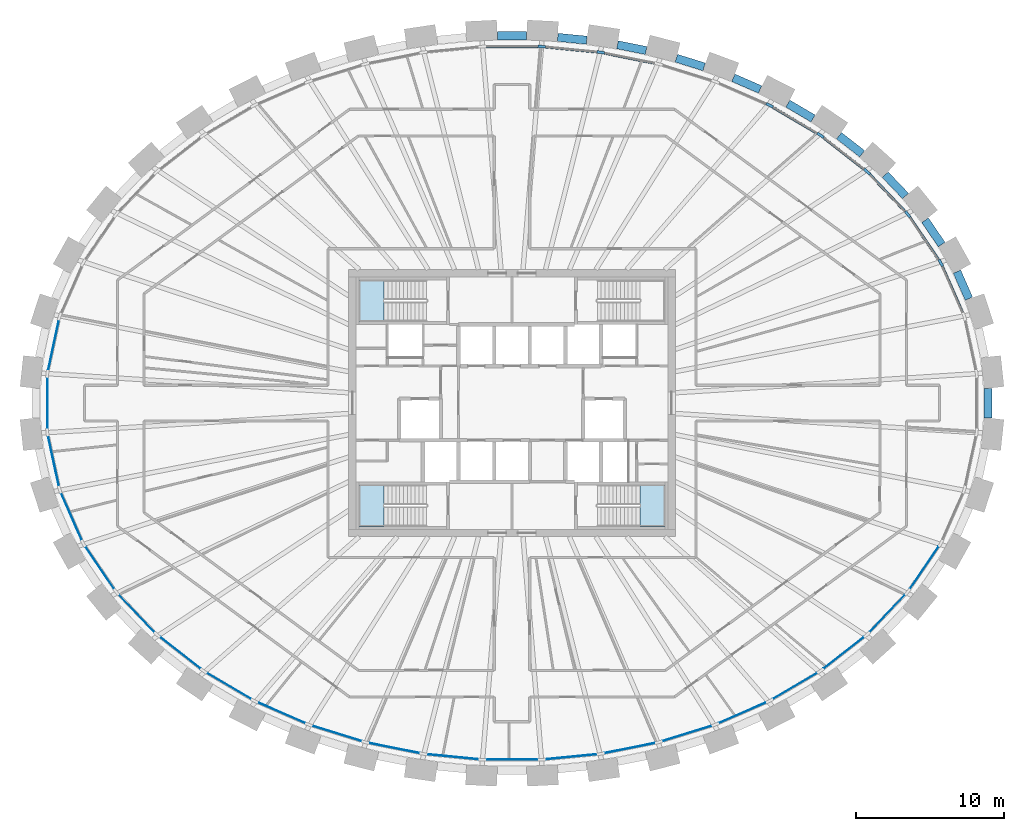
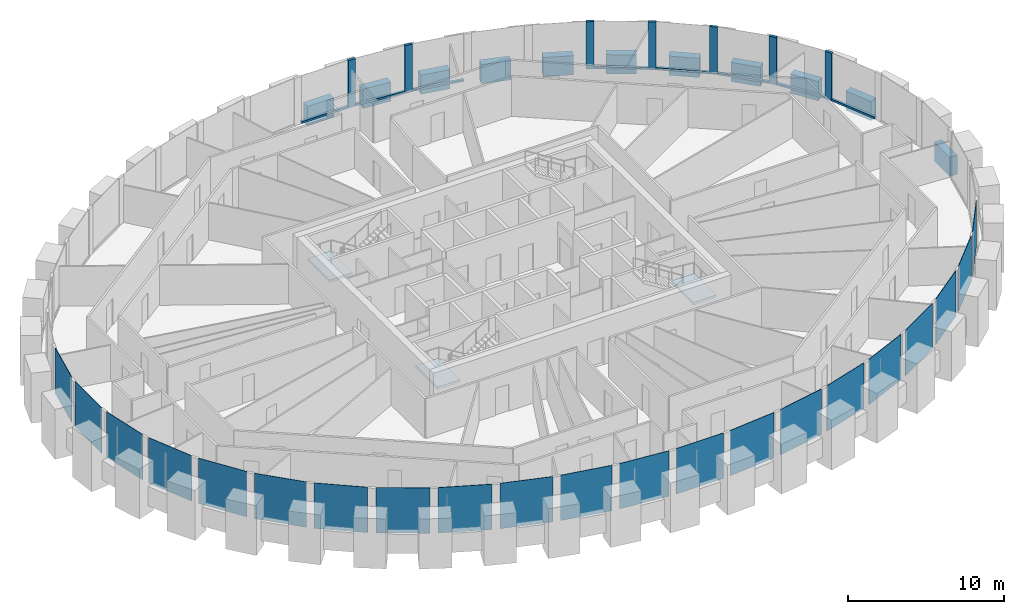
# One storey, part 4 of 12: 21 plates, 15 members, 11 beams, 3 slabs, 4 elements without a shape of their own.
"""IFC4 building model written with IfcOpenShell, lengths in metres."""

from ifc_helpers import new_model, si_unit, direction, frame, origin, origin_2d, place, context, subcontext, project, spatial, polyline, rectangle, outline, extrude, source, transform, mapped, material, layer, layer_set, material_profile, profile_set, type_object, element, aggregate, save


model = new_model("IFC4")

# Units and contexts
model_context = context("Model", 3, precision=1e-05, world=origin(), true_north=direction((0.0, 1.0)))
body_context = subcontext(model_context, "Body", "Model", "MODEL_VIEW")
ifc_project = project(units=[si_unit("LENGTHUNIT", "METRE"), si_unit("AREAUNIT", "SQUARE_METRE"), si_unit("VOLUMEUNIT", "CUBIC_METRE"), si_unit("PLANEANGLEUNIT", "RADIAN"), si_unit("MASSUNIT", "GRAM", prefix="KILO")], contexts=[model_context])

# Site, building, storey
site_placement = place(None, origin())
site = spatial("IfcSite", under=ifc_project, at=site_placement, CompositionType="ELEMENT")
building_placement = place(site_placement, origin())
building = spatial("IfcBuilding", under=site, at=building_placement, Name="Embergate Tower", CompositionType="ELEMENT")
storey_placement = place(building_placement, frame((0.0, 0.0, 269.5)))
storey = spatial("IfcBuildingStorey", under=building, at=storey_placement, Name="L62", CompositionType="ELEMENT", Elevation=269.5)

# Beams
ifc_material_1 = material(Name="Concrete C60", Category="concrete")
ifc_material_profile_1 = material_profile(ifc_material_1, rectangle(XDim=0.550048828125, YDim=1.5, at=origin_2d()), Name="RC 550x1500")
ifc_profile_set_1 = profile_set([ifc_material_profile_1], Name="Concrete C60")
beam_type = type_object("IfcBeamType", Name="Spandrel beam RC 550x1500 C60", PredefinedType="BEAM", material=ifc_profile_set_1)
shared_shape_1 = source(origin(), body_context, "Body", "SweptSolid", [
    extrude(rectangle(XDim=0.550048828125, YDim=1.5, at=origin_2d()), origin(), (0.0, 0.0, 1.0), 1.989990234375),
])
beam_1_placement = place(storey_placement, frame((30.777099609375, 7.032958984375, 0.0), z_axis=(-0.402047764255, 0.915618695341, 0.0), x_axis=(-0.915618695341, -0.402047764255, 0.0)))
element("IfcBeam", 1, at=beam_1_placement, inside=storey, type_object=beam_type, Name="SPN-L62-01", PredefinedType="BEAM", context=body_context, shape_type="MappedRepresentation", body=[
    mapped(shared_shape_1, transform((0.0, 0.0, 0.0))),
])
shared_shape_2 = source(origin(), body_context, "Body", "SweptSolid", [
    extrude(rectangle(XDim=0.550048828125, YDim=1.5, at=origin_2d()), origin(), (0.0, 0.0, 1.0), 1.982421875),
])
beam_2_placement = place(storey_placement, frame((28.943115234375, 10.68310546875, 0.0), z_axis=(-0.56257611142, 0.82674549824, 0.0), x_axis=(-0.82674549824, -0.56257611142, 0.0)))
element("IfcBeam", 2, at=beam_2_placement, inside=storey, type_object=beam_type, Name="SPN-L62-02", PredefinedType="BEAM", context=body_context, shape_type="MappedRepresentation", body=[
    mapped(shared_shape_2, transform((0.0, 0.0, 0.0))),
])
shared_shape_3 = source(origin(), body_context, "Body", "SweptSolid", [
    extrude(rectangle(XDim=0.550048828125, YDim=1.5, at=origin_2d()), origin(), (0.0, 0.0, 1.0), 1.97900390625),
])
beam_3_placement = place(storey_placement, frame((26.509033203125, 13.9560546875, 0.0), z_axis=(-0.690255649164, 0.723565573253, 0.0), x_axis=(-0.723565573253, -0.690255649164, 0.0)))
element("IfcBeam", 3, at=beam_3_placement, inside=storey, type_object=beam_type, Name="SPN-L62-03", PredefinedType="BEAM", context=body_context, shape_type="MappedRepresentation", body=[
    mapped(shared_shape_3, transform((0.0, 0.0, 0.0))),
])
shared_shape_4 = source(origin(), body_context, "Body", "SweptSolid", [
    extrude(rectangle(XDim=0.550048828125, YDim=1.5, at=origin_2d()), origin(), (0.0, 0.0, 1.0), 1.974853515625),
])
beam_4_placement = place(storey_placement, frame((23.5869140625, 16.797119140625, 0.0), z_axis=(-0.788385979859, 0.61518090572, 0.0), x_axis=(-0.61518090572, -0.788385979859, 0.0)))
element("IfcBeam", 4, at=beam_4_placement, inside=storey, type_object=beam_type, Name="SPN-L62-04", PredefinedType="BEAM", context=body_context, shape_type="MappedRepresentation", body=[
    mapped(shared_shape_4, transform((0.0, 0.0, 0.0))),
])
shared_shape_5 = source(origin(), body_context, "Body", "SweptSolid", [
    extrude(rectangle(XDim=0.550048828125, YDim=1.5, at=origin_2d()), origin(), (0.0, 0.0, 1.0), 1.969482421875),
])
beam_5_placement = place(storey_placement, frame((20.281982421875, 19.176025390625, 0.0), z_axis=(-0.862106236571, 0.506727576578, 0.0), x_axis=(-0.506727576578, -0.862106236571, 0.0)))
element("IfcBeam", 5, at=beam_5_placement, inside=storey, type_object=beam_type, Name="SPN-L62-05", PredefinedType="BEAM", context=body_context, shape_type="MappedRepresentation", body=[
    mapped(shared_shape_5, transform((0.0, 0.0, 0.0))),
])
shared_shape_6 = source(origin(), body_context, "Body", "SweptSolid", [
    extrude(rectangle(XDim=0.550048828125, YDim=1.5, at=origin_2d()), origin(), (0.0, 0.0, 1.0), 1.96630859375),
])
beam_6_placement = place(storey_placement, frame((16.714111328125, 21.12890625, 0.0), z_axis=(-0.916393681964, 0.400278177842, 0.0), x_axis=(-0.400278177842, -0.916393681964, 0.0)))
element("IfcBeam", 6, at=beam_6_placement, inside=storey, type_object=beam_type, Name="SPN-L62-06", PredefinedType="BEAM", context=body_context, shape_type="MappedRepresentation", body=[
    mapped(shared_shape_6, transform((0.0, 0.0, 0.0))),
])
shared_shape_7 = source(origin(), body_context, "Body", "SweptSolid", [
    extrude(rectangle(XDim=0.550048828125, YDim=1.5, at=origin_2d()), origin(), (0.0, 0.0, 1.0), 1.96484375),
])
beam_7_placement = place(storey_placement, frame((12.945068359375, 22.65087890625, 0.0), z_axis=(-0.954771364399, 0.297340951979, 0.0), x_axis=(-0.297340951979, -0.954771364399, 0.0)))
element("IfcBeam", 7, at=beam_7_placement, inside=storey, type_object=beam_type, Name="SPN-L62-07", PredefinedType="BEAM", context=body_context, shape_type="MappedRepresentation", body=[
    mapped(shared_shape_7, transform((0.0, 0.0, 0.0))),
])
shared_shape_8 = source(origin(), body_context, "Body", "SweptSolid", [
    extrude(rectangle(XDim=0.550048828125, YDim=1.5, at=origin_2d()), origin(), (0.0, 0.0, 1.0), 1.963134765625),
])
beam_8_placement = place(storey_placement, frame((9.033935546875, 23.7548828125, 0.0), z_axis=(-0.980580675691, 0.196116135138, 0.0), x_axis=(-0.196116135138, -0.980580675691, 0.0)))
element("IfcBeam", 8, at=beam_8_placement, inside=storey, type_object=beam_type, Name="SPN-L62-08", PredefinedType="BEAM", context=body_context, shape_type="MappedRepresentation", body=[
    mapped(shared_shape_8, transform((0.0, 0.0, 0.0))),
])
shared_shape_9 = source(origin(), body_context, "Body", "SweptSolid", [
    extrude(rectangle(XDim=0.550048828125, YDim=1.5, at=origin_2d()), origin(), (0.0, 0.0, 1.0), 1.96240234375),
])
beam_9_placement = place(storey_placement, frame((5.031982421875, 24.449951171875, 0.0), z_axis=(-0.99519482752, 0.097914530474, 0.0), x_axis=(-0.097914530474, -0.99519482752, 0.0)))
element("IfcBeam", 9, at=beam_9_placement, inside=storey, type_object=beam_type, Name="SPN-L62-09", PredefinedType="BEAM", context=body_context, shape_type="MappedRepresentation", body=[
    mapped(shared_shape_9, transform((0.0, 0.0, 0.0))),
])
shared_shape_10 = source(origin(), body_context, "Body", "SweptSolid", [
    extrude(rectangle(XDim=0.550048828125, YDim=1.5, at=origin_2d()), origin(), (0.0, 0.0, 1.0), 1.9619140625),
])
beam_10_placement = place(storey_placement, frame((0.98095703125, 24.7451171875, 0.0), z_axis=(-1.0, 0.0, 0.0), x_axis=(0.0, -1.0, 0.0)))
element("IfcBeam", 10, at=beam_10_placement, inside=storey, type_object=beam_type, Name="SPN-L62-10", PredefinedType="BEAM", context=body_context, shape_type="MappedRepresentation", body=[
    mapped(shared_shape_10, transform((0.0, 0.0, 0.0))),
])
shared_shape_11 = source(origin(), body_context, "Body", "SweptSolid", [
    extrude(rectangle(XDim=0.550048828125, YDim=1.5, at=origin_2d()), origin(), (0.0, 0.0, 1.0), 1.994140625),
])
beam_11_placement = place(storey_placement, frame((32.06396484375, -0.9970703125, 0.0), z_axis=(0.0, 1.0, 0.0), x_axis=(-1.0, 0.0, 0.0)))
element("IfcBeam", 11, at=beam_11_placement, inside=storey, type_object=beam_type, Name="SPN-L62-43", PredefinedType="BEAM", context=body_context, shape_type="MappedRepresentation", body=[
    mapped(shared_shape_11, transform((0.0, 0.0, 0.0))),
])

# Curtain wall, members, plates
ifc_material_2 = material(Name="Aluminium and glass", Category="aluminium")
curtain_wall_type = type_object("IfcCurtainWallType", Name="Recessed office glazing", PredefinedType="NOTDEFINED", material=ifc_material_2)
curtain_wall_placement = place(storey_placement, origin())
curtain_wall = element("IfcCurtainWall", 12, at=curtain_wall_placement, inside=storey, type_object=curtain_wall_type, Name="Recessed office glazing ring", ObjectType="RECESSED OFFICE GLAZING", PredefinedType="USERDEFINED")
ifc_material_3 = material(Name="Aluminium, thermally broken", Category="aluminium")
ifc_material_profile_2 = material_profile(ifc_material_3, rectangle(XDim=0.179931640625, YDim=0.52001953125, at=origin_2d()), Name="AL 520x180")
ifc_profile_set_2 = profile_set([ifc_material_profile_2], Name="Aluminium, thermally broken")
member_type_1 = type_object("IfcMemberType", Name="Office mullion", PredefinedType="MULLION", material=ifc_profile_set_2)
shared_shape_12 = source(origin(), body_context, "Body", "SweptSolid", [
    extrude(rectangle(XDim=0.179931640625, YDim=0.52001953125, at=origin_2d()), origin(), (0.0, 0.0, 1.0), 3.699951171875),
])
member_1_placement = place(storey_placement, frame((28.8837890625, 9.447998046875, 0.0), z_axis=(0.0, 0.0, 1.0), x_axis=(-0.874992601244, -0.484136290489, 0.0)))
member_1 = element("IfcMember", 13, at=member_1_placement, type_object=member_type_1, Name="CW mullion 3", PredefinedType="MULLION", context=body_context, shape_type="MappedRepresentation", body=[
    mapped(shared_shape_12, transform((0.0, 0.0, 0.0))),
])
member_2_placement = place(storey_placement, frame((26.656494140625, 12.72314453125, 0.0), z_axis=(0.0, 0.0, 1.0), x_axis=(-0.777861596203, -0.628435626897, 0.0)))
member_2 = element("IfcMember", 14, at=member_2_placement, type_object=member_type_1, Name="CW mullion 4", PredefinedType="MULLION", context=body_context, shape_type="MappedRepresentation", body=[
    mapped(shared_shape_12, transform((0.0, 0.0, 0.0))),
])
member_3_placement = place(storey_placement, frame((23.9169921875, 15.595703125, 0.0), z_axis=(0.0, 0.0, 1.0), x_axis=(-0.671216184057, -0.741261650337, 0.0)))
member_3 = element("IfcMember", 15, at=member_3_placement, type_object=member_type_1, Name="CW mullion 5", PredefinedType="MULLION", context=body_context, shape_type="MappedRepresentation", body=[
    mapped(shared_shape_12, transform((0.0, 0.0, 0.0))),
])
member_4_placement = place(storey_placement, frame((20.781982421875, 18.042236328125, 0.0), z_axis=(0.0, 0.0, 1.0), x_axis=(-0.562207514921, -0.82699619719, 0.0)))
member_4 = element("IfcMember", 16, at=member_4_placement, type_object=member_type_1, Name="CW mullion 6", PredefinedType="MULLION", context=body_context, shape_type="MappedRepresentation", body=[
    mapped(shared_shape_12, transform((0.0, 0.0, 0.0))),
])
member_5_placement = place(storey_placement, frame((17.34912109375, 20.060791015625, 0.0), z_axis=(0.0, 0.0, 1.0), x_axis=(-0.454503607328, -0.89074489666, 0.0)))
member_5 = element("IfcMember", 17, at=member_5_placement, type_object=member_type_1, Name="CW mullion 7", PredefinedType="MULLION", context=body_context, shape_type="MappedRepresentation", body=[
    mapped(shared_shape_12, transform((0.0, 0.0, 0.0))),
])
member_6_placement = place(storey_placement, frame((5.9716796875, 23.629638671875, 0.0), z_axis=(0.0, 0.0, 1.0), x_axis=(-0.147408930294, -0.989075632735, 0.0)))
member_6 = element("IfcMember", 18, at=member_6_placement, type_object=member_type_1, Name="CW mullion 10", PredefinedType="MULLION", context=body_context, shape_type="MappedRepresentation", body=[
    mapped(shared_shape_12, transform((0.0, 0.0, 0.0))),
])
member_7_placement = place(storey_placement, frame((1.9970703125, 24.020263671875, 0.0), z_axis=(0.0, 0.0, 1.0), x_axis=(-0.048970053385, -0.998800247232, 0.0)))
member_7 = element("IfcMember", 19, at=member_7_placement, type_object=member_type_1, Name="CW mullion 11", PredefinedType="MULLION", context=body_context, shape_type="MappedRepresentation", body=[
    mapped(shared_shape_12, transform((0.0, 0.0, 0.0))),
])
ifc_material_profile_3 = material_profile(ifc_material_3, rectangle(XDim=0.179931640625, YDim=0.14990234375, at=origin_2d()), Name="AL 150x180")
ifc_profile_set_3 = profile_set([ifc_material_profile_3], Name="Aluminium, thermally broken")
member_type_2 = type_object("IfcMemberType", Name="Office sill transom", PredefinedType="USERDEFINED", material=ifc_profile_set_3)
shared_shape_13 = source(origin(), body_context, "Body", "SweptSolid", [
    extrude(rectangle(XDim=0.179931640625, YDim=0.14990234375, at=origin_2d()), origin(), (0.0, 0.0, 1.0), 3.43212890625),
])
member_8_placement = place(storey_placement, frame((30.36669921875, 6.066650390625, 0.074951171875), z_axis=(-0.401632188585, 0.915801061963, 0.0), x_axis=(-0.915801061963, -0.401632188585, 0.0)))
member_8 = element("IfcMember", 20, at=member_8_placement, type_object=member_type_2, Name="CW transom 2.1", ObjectType="TRANSOM", PredefinedType="USERDEFINED", context=body_context, shape_type="MappedRepresentation", body=[
    mapped(shared_shape_13, transform((0.0, 0.0, 0.0))),
])
shared_shape_14 = source(origin(), body_context, "Body", "SweptSolid", [
    extrude(rectangle(XDim=0.179931640625, YDim=0.14990234375, at=origin_2d()), origin(), (0.0, 0.0, 1.0), 3.44091796875),
])
member_9_placement = place(storey_placement, frame((28.737548828125, 9.662841796875, 0.074951171875), z_axis=(-0.562372122954, 0.826884269607, 0.0), x_axis=(-0.826884269607, -0.562372122954, 0.0)))
member_9 = element("IfcMember", 21, at=member_9_placement, type_object=member_type_2, Name="CW transom 3.1", ObjectType="TRANSOM", PredefinedType="USERDEFINED", context=body_context, shape_type="MappedRepresentation", body=[
    mapped(shared_shape_14, transform((0.0, 0.0, 0.0))),
])
shared_shape_15 = source(origin(), body_context, "Body", "SweptSolid", [
    extrude(rectangle(XDim=0.179931640625, YDim=0.14990234375, at=origin_2d()), origin(), (0.0, 0.0, 1.0), 3.449462890625),
])
member_10_placement = place(storey_placement, frame((26.47705078125, 12.9111328125, 0.074951171875), z_axis=(-0.690133956855, 0.723681643815, 0.0), x_axis=(-0.723681643815, -0.690133956855, 0.0)))
member_10 = element("IfcMember", 22, at=member_10_placement, type_object=member_type_2, Name="CW transom 4.1", ObjectType="TRANSOM", PredefinedType="USERDEFINED", context=body_context, shape_type="MappedRepresentation", body=[
    mapped(shared_shape_15, transform((0.0, 0.0, 0.0))),
])
shared_shape_16 = source(origin(), body_context, "Body", "SweptSolid", [
    extrude(rectangle(XDim=0.179931640625, YDim=0.14990234375, at=origin_2d()), origin(), (0.0, 0.0, 1.0), 3.456787109375),
])
member_11_placement = place(storey_placement, frame((23.712158203125, 15.755615234375, 0.074951171875), z_axis=(-0.788343354806, 0.615235528016, 0.0), x_axis=(-0.615235528016, -0.788343354806, 0.0)))
member_11 = element("IfcMember", 23, at=member_11_placement, type_object=member_type_2, Name="CW transom 5.1", ObjectType="TRANSOM", PredefinedType="USERDEFINED", context=body_context, shape_type="MappedRepresentation", body=[
    mapped(shared_shape_16, transform((0.0, 0.0, 0.0))),
])
shared_shape_17 = source(origin(), body_context, "Body", "SweptSolid", [
    extrude(rectangle(XDim=0.179931640625, YDim=0.14990234375, at=origin_2d()), origin(), (0.0, 0.0, 1.0), 3.462646484375),
])
member_12_placement = place(storey_placement, frame((20.55810546875, 18.174072265625, 0.074951171875), z_axis=(-0.862068308193, 0.506792099394, 0.0), x_axis=(-0.506792099394, -0.862068308193, 0.0)))
member_12 = element("IfcMember", 24, at=member_12_placement, type_object=member_type_2, Name="CW transom 6.1", ObjectType="TRANSOM", PredefinedType="USERDEFINED", context=body_context, shape_type="MappedRepresentation", body=[
    mapped(shared_shape_17, transform((0.0, 0.0, 0.0))),
])
shared_shape_18 = source(origin(), body_context, "Body", "SweptSolid", [
    extrude(rectangle(XDim=0.179931640625, YDim=0.14990234375, at=origin_2d()), origin(), (0.0, 0.0, 1.0), 3.472412109375),
])
member_13_placement = place(storey_placement, frame((9.631103515625, 22.8955078125, 0.074951171875), z_axis=(-0.980472357372, 0.196656951134, 0.0), x_axis=(-0.196656951134, -0.980472357372, 0.0)))
member_13 = element("IfcMember", 25, at=member_13_placement, type_object=member_type_2, Name="CW transom 9.1", ObjectType="TRANSOM", PredefinedType="USERDEFINED", context=body_context, shape_type="MappedRepresentation", body=[
    mapped(shared_shape_18, transform((0.0, 0.0, 0.0))),
])
shared_shape_19 = source(origin(), body_context, "Body", "SweptSolid", [
    extrude(rectangle(XDim=0.179931640625, YDim=0.14990234375, at=origin_2d()), origin(), (0.0, 0.0, 1.0), 3.4736328125),
])
member_14_placement = place(storey_placement, frame((5.712890625, 23.655029296875, 0.074951171875), z_axis=(-0.99520279702, 0.0978334953, 0.0), x_axis=(-0.0978334953, -0.99520279702, 0.0)))
member_14 = element("IfcMember", 26, at=member_14_placement, type_object=member_type_2, Name="CW transom 10.1", ObjectType="TRANSOM", PredefinedType="USERDEFINED", context=body_context, shape_type="MappedRepresentation", body=[
    mapped(shared_shape_19, transform((0.0, 0.0, 0.0))),
])
shared_shape_20 = source(origin(), body_context, "Body", "SweptSolid", [
    extrude(rectangle(XDim=0.179931640625, YDim=0.14990234375, at=origin_2d()), origin(), (0.0, 0.0, 1.0), 3.47412109375),
])
member_15_placement = place(storey_placement, frame((1.737060546875, 24.020263671875, 0.074951171875), z_axis=(-1.0, 0.0, 0.0), x_axis=(0.0, -1.0, 0.0)))
member_15 = element("IfcMember", 27, at=member_15_placement, type_object=member_type_2, Name="CW transom 11.1", ObjectType="TRANSOM", PredefinedType="USERDEFINED", context=body_context, shape_type="MappedRepresentation", body=[
    mapped(shared_shape_20, transform((0.0, 0.0, 0.0))),
])
ifc_material_4 = material(Name="Triple glazing, low-emissivity coating", Category="glass")
ifc_layer_1 = layer(ifc_material_4, 0.035888671875)
ifc_layer_set_1 = layer_set([ifc_layer_1], Name="Triple glazing, low-emissivity coating")
plate_type = type_object("IfcPlateType", Name="Office glazing unit", PredefinedType="CURTAIN_PANEL", material=ifc_layer_set_1)
shared_shape_21 = source(origin(), body_context, "Body", "SweptSolid", [
    extrude(rectangle(XDim=3.42529296875, YDim=0.035888671875, at=origin_2d()), origin(), (0.0, 0.0, 1.0), 3.550048828125),
])
plate_1_placement = place(storey_placement, frame((-30.88623046875, 3.89990234375, 0.14990234375), z_axis=(0.0, 0.0, 1.0), x_axis=(-0.210401803698, -0.977614996305, 0.0)))
plate_1 = element("IfcPlate", 28, at=plate_1_placement, type_object=plate_type, Name="CW panel 21.1", PredefinedType="CURTAIN_PANEL", context=body_context, shape_type="MappedRepresentation", body=[
    mapped(shared_shape_21, transform((0.0, 0.0, 0.0))),
])
plate_2_placement = place(storey_placement, frame((-30.88623046875, -3.89990234375, 0.14990234375), z_axis=(0.0, 0.0, 1.0), x_axis=(0.210401803698, -0.977614996305, 0.0)))
plate_2 = element("IfcPlate", 29, at=plate_2_placement, type_object=plate_type, Name="CW panel 23.1", PredefinedType="CURTAIN_PANEL", context=body_context, shape_type="MappedRepresentation", body=[
    mapped(shared_shape_21, transform((0.0, 0.0, 0.0))),
])
shared_shape_22 = source(origin(), body_context, "Body", "SweptSolid", [
    extrude(rectangle(XDim=3.43212890625, YDim=0.035888671875, at=origin_2d()), origin(), (0.0, 0.0, 1.0), 3.550048828125),
])
plate_3_placement = place(storey_placement, frame((-29.677490234375, -7.63818359375, 0.14990234375), z_axis=(0.0, 0.0, 1.0), x_axis=(0.401658494584, -0.915789524797, 0.0)))
plate_3 = element("IfcPlate", 30, at=plate_3_placement, type_object=plate_type, Name="CW panel 24.1", PredefinedType="CURTAIN_PANEL", context=body_context, shape_type="MappedRepresentation", body=[
    mapped(shared_shape_22, transform((0.0, 0.0, 0.0))),
])
shared_shape_23 = source(origin(), body_context, "Body", "SweptSolid", [
    extrude(rectangle(XDim=3.44091796875, YDim=0.035888671875, at=origin_2d()), origin(), (0.0, 0.0, 1.0), 3.550048828125),
])
plate_4_placement = place(storey_placement, frame((-27.77001953125, -11.08544921875, 0.14990234375), z_axis=(0.0, 0.0, 1.0), x_axis=(0.562348958001, -0.826900023845, 0.0)))
plate_4 = element("IfcPlate", 31, at=plate_4_placement, type_object=plate_type, Name="CW panel 25.1", PredefinedType="CURTAIN_PANEL", context=body_context, shape_type="MappedRepresentation", body=[
    mapped(shared_shape_23, transform((0.0, 0.0, 0.0))),
])
plate_5_placement = place(storey_placement, frame((27.77001953125, -11.08544921875, 0.14990234375), z_axis=(0.0, 0.0, 1.0), x_axis=(0.562348958001, 0.826900023845, 0.0)))
plate_5 = element("IfcPlate", 32, at=plate_5_placement, type_object=plate_type, Name="CW panel 41.1", PredefinedType="CURTAIN_PANEL", context=body_context, shape_type="MappedRepresentation", body=[
    mapped(shared_shape_23, transform((0.0, 0.0, 0.0))),
])
shared_shape_24 = source(origin(), body_context, "Body", "SweptSolid", [
    extrude(rectangle(XDim=3.44921875, YDim=0.035888671875, at=origin_2d()), origin(), (0.0, 0.0, 1.0), 3.550048828125),
])
plate_6_placement = place(storey_placement, frame((-25.28662109375, -14.1591796875, 0.14990234375), z_axis=(0.0, 0.0, 1.0), x_axis=(0.6901388367, -0.723676990154, 0.0)))
plate_6 = element("IfcPlate", 33, at=plate_6_placement, type_object=plate_type, Name="CW panel 26.1", PredefinedType="CURTAIN_PANEL", context=body_context, shape_type="MappedRepresentation", body=[
    mapped(shared_shape_24, transform((0.0, 0.0, 0.0))),
])
plate_7_placement = place(storey_placement, frame((25.28662109375, -14.1591796875, 0.14990234375), z_axis=(0.0, 0.0, 1.0), x_axis=(0.6901388367, 0.723676990154, 0.0)))
plate_7 = element("IfcPlate", 34, at=plate_7_placement, type_object=plate_type, Name="CW panel 40.1", PredefinedType="CURTAIN_PANEL", context=body_context, shape_type="MappedRepresentation", body=[
    mapped(shared_shape_24, transform((0.0, 0.0, 0.0))),
])
shared_shape_25 = source(origin(), body_context, "Body", "SweptSolid", [
    extrude(rectangle(XDim=3.456787109375, YDim=0.035888671875, at=origin_2d()), origin(), (0.0, 0.0, 1.0), 3.550048828125),
])
plate_8_placement = place(storey_placement, frame((-22.349609375, -16.81884765625, 0.14990234375), z_axis=(0.0, 0.0, 1.0), x_axis=(0.788323340765, -0.615261172515, 0.0)))
plate_8 = element("IfcPlate", 35, at=plate_8_placement, type_object=plate_type, Name="CW panel 27.1", PredefinedType="CURTAIN_PANEL", context=body_context, shape_type="MappedRepresentation", body=[
    mapped(shared_shape_25, transform((0.0, 0.0, 0.0))),
])
plate_9_placement = place(storey_placement, frame((22.349609375, -16.81884765625, 0.14990234375), z_axis=(0.0, 0.0, 1.0), x_axis=(0.788323340765, 0.615261172515, 0.0)))
plate_9 = element("IfcPlate", 36, at=plate_9_placement, type_object=plate_type, Name="CW panel 39.1", PredefinedType="CURTAIN_PANEL", context=body_context, shape_type="MappedRepresentation", body=[
    mapped(shared_shape_25, transform((0.0, 0.0, 0.0))),
])
shared_shape_26 = source(origin(), body_context, "Body", "SweptSolid", [
    extrude(rectangle(XDim=3.462646484375, YDim=0.035888671875, at=origin_2d()), origin(), (0.0, 0.0, 1.0), 3.550048828125),
])
plate_10_placement = place(storey_placement, frame((-19.0654296875, -19.051513671875, 0.14990234375), z_axis=(0.0, 0.0, 1.0), x_axis=(0.862054936934, -0.506814843614, 0.0)))
plate_10 = element("IfcPlate", 37, at=plate_10_placement, type_object=plate_type, Name="CW panel 28.1", PredefinedType="CURTAIN_PANEL", context=body_context, shape_type="MappedRepresentation", body=[
    mapped(shared_shape_26, transform((0.0, 0.0, 0.0))),
])
plate_11_placement = place(storey_placement, frame((19.0654296875, -19.051513671875, 0.14990234375), z_axis=(0.0, 0.0, 1.0), x_axis=(0.862054936934, 0.506814843614, 0.0)))
plate_11 = element("IfcPlate", 38, at=plate_11_placement, type_object=plate_type, Name="CW panel 38.1", PredefinedType="CURTAIN_PANEL", context=body_context, shape_type="MappedRepresentation", body=[
    mapped(shared_shape_26, transform((0.0, 0.0, 0.0))),
])
shared_shape_27 = source(origin(), body_context, "Body", "SweptSolid", [
    extrude(rectangle(XDim=3.467041015625, YDim=0.035888671875, at=origin_2d()), origin(), (0.0, 0.0, 1.0), 3.550048828125),
])
plate_12_placement = place(storey_placement, frame((-15.5224609375, -20.859375, 0.14990234375), z_axis=(0.0, 0.0, 1.0), x_axis=(0.916237610228, -0.400635297502, 0.0)))
plate_12 = element("IfcPlate", 39, at=plate_12_placement, type_object=plate_type, Name="CW panel 29.1", PredefinedType="CURTAIN_PANEL", context=body_context, shape_type="MappedRepresentation", body=[
    mapped(shared_shape_27, transform((0.0, 0.0, 0.0))),
])
plate_13_placement = place(storey_placement, frame((15.5224609375, -20.859375, 0.14990234375), z_axis=(0.0, 0.0, 1.0), x_axis=(0.916237610228, 0.400635297502, 0.0)))
plate_13 = element("IfcPlate", 40, at=plate_13_placement, type_object=plate_type, Name="CW panel 37.1", PredefinedType="CURTAIN_PANEL", context=body_context, shape_type="MappedRepresentation", body=[
    mapped(shared_shape_27, transform((0.0, 0.0, 0.0))),
])
shared_shape_28 = source(origin(), body_context, "Body", "SweptSolid", [
    extrude(rectangle(XDim=3.47021484375, YDim=0.035888671875, at=origin_2d()), origin(), (0.0, 0.0, 1.0), 3.550048828125),
])
plate_14_placement = place(storey_placement, frame((-11.791015625, -22.251220703125, 0.14990234375), z_axis=(0.0, 0.0, 1.0), x_axis=(0.954772736126, -0.297336547283, 0.0)))
plate_14 = element("IfcPlate", 41, at=plate_14_placement, type_object=plate_type, Name="CW panel 30.1", PredefinedType="CURTAIN_PANEL", context=body_context, shape_type="MappedRepresentation", body=[
    mapped(shared_shape_28, transform((0.0, 0.0, 0.0))),
])
plate_15_placement = place(storey_placement, frame((11.791015625, -22.251220703125, 0.14990234375), z_axis=(0.0, 0.0, 1.0), x_axis=(0.954772736126, 0.297336547283, 0.0)))
plate_15 = element("IfcPlate", 42, at=plate_15_placement, type_object=plate_type, Name="CW panel 36.1", PredefinedType="CURTAIN_PANEL", context=body_context, shape_type="MappedRepresentation", body=[
    mapped(shared_shape_28, transform((0.0, 0.0, 0.0))),
])
shared_shape_29 = source(origin(), body_context, "Body", "SweptSolid", [
    extrude(rectangle(XDim=3.472412109375, YDim=0.035888671875, at=origin_2d()), origin(), (0.0, 0.0, 1.0), 3.550048828125),
])
plate_16_placement = place(storey_placement, frame((-7.928955078125, -23.237060546875, 0.14990234375), z_axis=(0.0, 0.0, 1.0), x_axis=(0.980476250608, -0.196637539636, 0.0)))
plate_16 = element("IfcPlate", 43, at=plate_16_placement, type_object=plate_type, Name="CW panel 31.1", PredefinedType="CURTAIN_PANEL", context=body_context, shape_type="MappedRepresentation", body=[
    mapped(shared_shape_29, transform((0.0, 0.0, 0.0))),
])
plate_17_placement = place(storey_placement, frame((7.928955078125, -23.237060546875, 0.14990234375), z_axis=(0.0, 0.0, 1.0), x_axis=(0.980476250608, 0.196637539636, 0.0)))
plate_17 = element("IfcPlate", 44, at=plate_17_placement, type_object=plate_type, Name="CW panel 35.1", PredefinedType="CURTAIN_PANEL", context=body_context, shape_type="MappedRepresentation", body=[
    mapped(shared_shape_29, transform((0.0, 0.0, 0.0))),
])
shared_shape_30 = source(origin(), body_context, "Body", "SweptSolid", [
    extrude(rectangle(XDim=3.4736328125, YDim=0.035888671875, at=origin_2d()), origin(), (0.0, 0.0, 1.0), 3.550048828125),
])
plate_18_placement = place(storey_placement, frame((-3.984375, -23.824951171875, 0.14990234375), z_axis=(0.0, 0.0, 1.0), x_axis=(0.995203355531, -0.09782781373, 0.0)))
plate_18 = element("IfcPlate", 45, at=plate_18_placement, type_object=plate_type, Name="CW panel 32.1", PredefinedType="CURTAIN_PANEL", context=body_context, shape_type="MappedRepresentation", body=[
    mapped(shared_shape_30, transform((0.0, 0.0, 0.0))),
])
plate_19_placement = place(storey_placement, frame((3.984375, -23.824951171875, 0.14990234375), z_axis=(0.0, 0.0, 1.0), x_axis=(0.995203355531, 0.09782781373, 0.0)))
plate_19 = element("IfcPlate", 46, at=plate_19_placement, type_object=plate_type, Name="CW panel 34.1", PredefinedType="CURTAIN_PANEL", context=body_context, shape_type="MappedRepresentation", body=[
    mapped(shared_shape_30, transform((0.0, 0.0, 0.0))),
])
shared_shape_31 = source(origin(), body_context, "Body", "SweptSolid", [
    extrude(rectangle(XDim=3.47412109375, YDim=0.035888671875, at=origin_2d()), origin(), (0.0, 0.0, 1.0), 3.550048828125),
])
plate_20_placement = place(storey_placement, frame((0.0, -24.020263671875, 0.14990234375), z_axis=(0.0, 0.0, 1.0), x_axis=(1.0, 0.0, 0.0)))
plate_20 = element("IfcPlate", 47, at=plate_20_placement, type_object=plate_type, Name="CW panel 33.1", PredefinedType="CURTAIN_PANEL", context=body_context, shape_type="MappedRepresentation", body=[
    mapped(shared_shape_31, transform((0.0, 0.0, 0.0))),
])
shared_shape_32 = source(origin(), body_context, "Body", "SweptSolid", [
    extrude(rectangle(XDim=3.4228515625, YDim=0.035888671875, at=origin_2d()), origin(), (0.0, 0.0, 1.0), 3.550048828125),
])
plate_21_placement = place(storey_placement, frame((-31.301513671875, 0.0, 0.14990234375), z_axis=(0.0, 0.0, 1.0), x_axis=(0.0, -1.0, 0.0)))
plate_21 = element("IfcPlate", 48, at=plate_21_placement, type_object=plate_type, Name="CW panel 22.1", PredefinedType="CURTAIN_PANEL", context=body_context, shape_type="MappedRepresentation", body=[
    mapped(shared_shape_32, transform((0.0, 0.0, 0.0))),
])
aggregate(curtain_wall, [member_1, member_2, member_3, member_4, member_5, member_6, member_7, member_8, member_9, member_10, member_11, member_12, member_13, member_14, member_15, plate_1, plate_21, plate_2, plate_3, plate_4, plate_6, plate_8, plate_10, plate_12, plate_14, plate_16, plate_18, plate_20, plate_19, plate_17, plate_15, plate_13, plate_11, plate_9, plate_7, plate_5])

# Stair, slab
ifc_material_5 = material(Name="Exit stair")
stair_type = type_object("IfcStairType", Name="Exit stair", PredefinedType="HALF_TURN_STAIR", material=ifc_material_5)
stair_1_placement = place(storey_placement, origin())
stair_1 = element("IfcStair", 49, at=stair_1_placement, inside=storey, type_object=stair_type, Name="L62 Exit stair 1", PredefinedType="HALF_TURN_STAIR")
ifc_material_6 = material(Name="Concrete C40", Category="concrete")
ifc_layer_2 = layer(ifc_material_6, 0.199951171875)
ifc_layer_set_2 = layer_set([ifc_layer_2], Name="Concrete C40")
slab_type = type_object("IfcSlabType", Name="Stair landing reinforced concrete", PredefinedType="LANDING", material=ifc_layer_set_2)
shared_shape_33 = source(origin(), body_context, "Body", "SweptSolid", [
    extrude(outline(polyline([(0.0, 0.0), (1.68994140625, 0.0), (1.68994140625, 2.800048828125), (0.0, 2.800048828125), (0.0, 0.0)])), origin(), (0.0, 0.0, 1.0), 0.199951171875),
])
slab_1_placement = place(storey_placement, frame((-10.300048828125, 5.5, 1.75)))
slab_1 = element("IfcSlab", 50, at=slab_1_placement, type_object=slab_type, Name="ST1 landing 1", PredefinedType="LANDING", context=body_context, shape_type="MappedRepresentation", body=[
    mapped(shared_shape_33, transform((0.0, 0.0, 0.0))),
])
aggregate(stair_1, [slab_1])

stair_2_placement = place(storey_placement, origin())
stair_2 = element("IfcStair", 51, at=stair_2_placement, inside=storey, type_object=stair_type, Name="L62 Exit stair 3", PredefinedType="HALF_TURN_STAIR")
slab_2_placement = place(storey_placement, frame((-10.300048828125, -8.300048828125, 1.75)))
slab_2 = element("IfcSlab", 52, at=slab_2_placement, type_object=slab_type, Name="ST3 landing 1", PredefinedType="LANDING", context=body_context, shape_type="MappedRepresentation", body=[
    mapped(shared_shape_33, transform((0.0, 0.0, 0.0))),
])
aggregate(stair_2, [slab_2])

stair_3_placement = place(storey_placement, origin())
stair_3 = element("IfcStair", 53, at=stair_3_placement, inside=storey, type_object=stair_type, Name="L62 Exit stair 4", PredefinedType="HALF_TURN_STAIR")
slab_3_placement = place(storey_placement, frame((8.610107421875, -8.300048828125, 1.75)))
slab_3 = element("IfcSlab", 54, at=slab_3_placement, type_object=slab_type, Name="ST4 landing 1", PredefinedType="LANDING", context=body_context, shape_type="MappedRepresentation", body=[
    mapped(shared_shape_33, transform((0.0, 0.0, 0.0))),
])
aggregate(stair_3, [slab_3])

save(model, "model.ifc")
